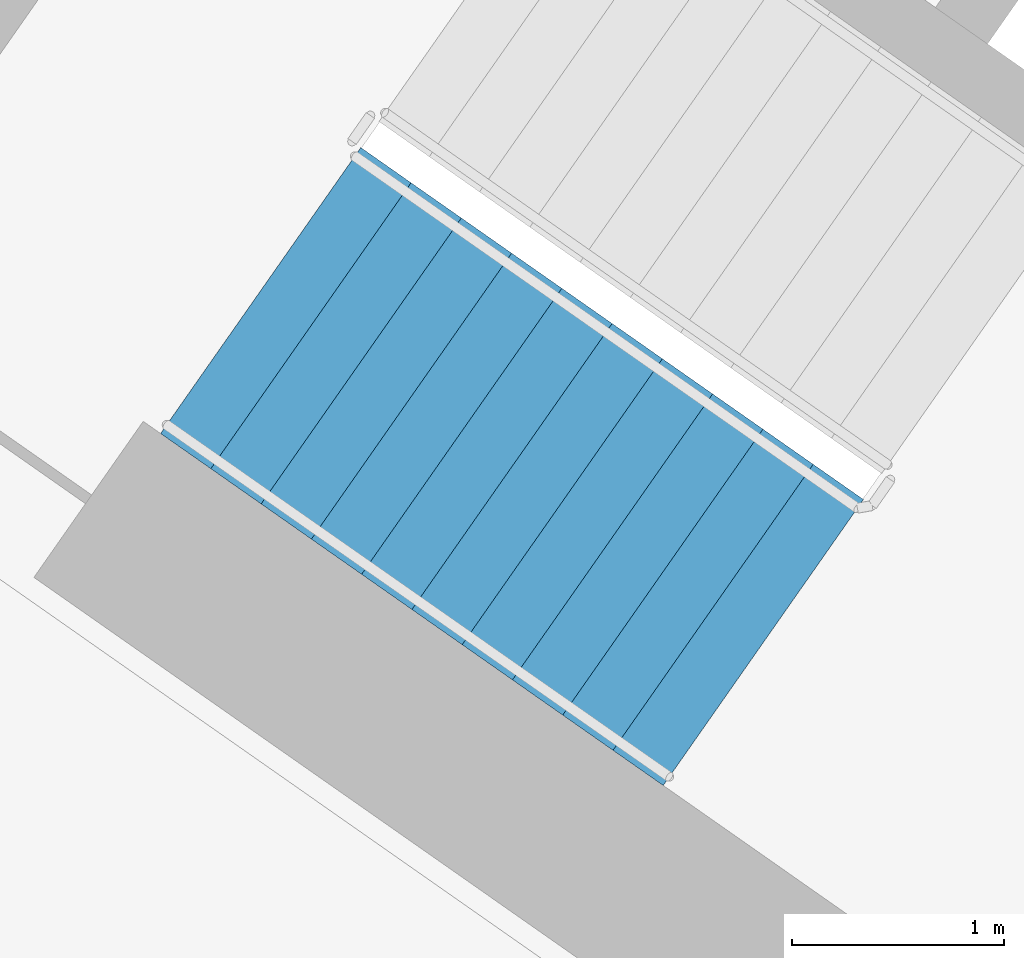
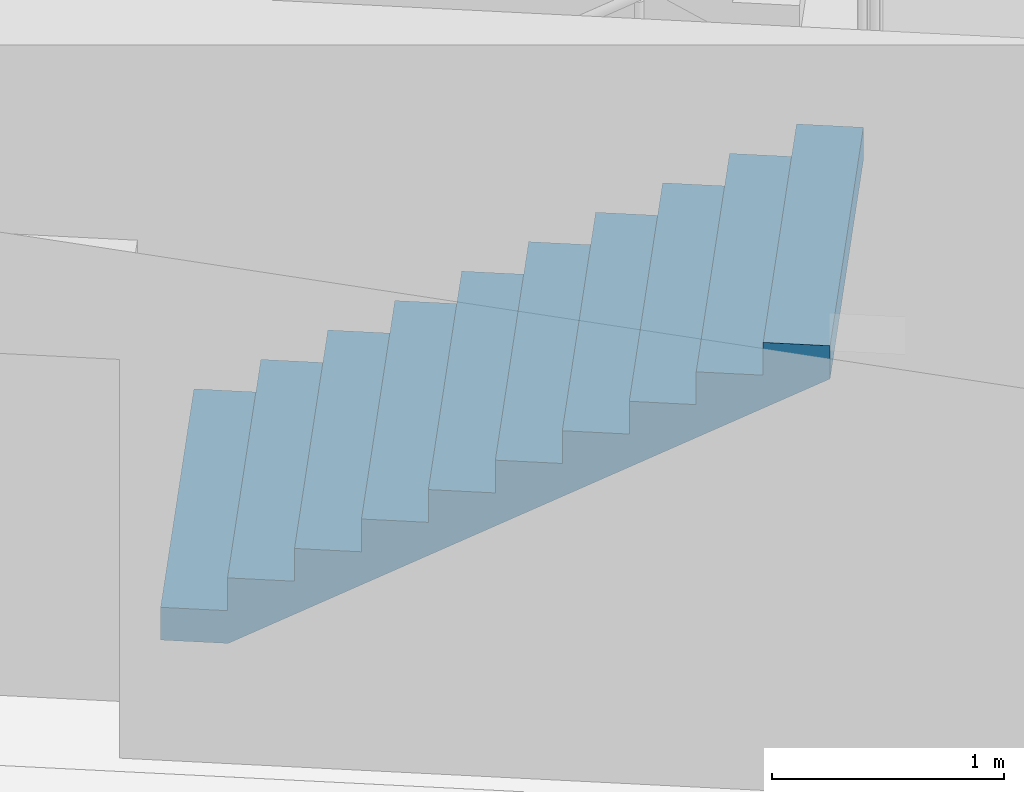
# One storey, part 9 of 28: 1 stair flight, 1 element without a shape of its own.
"""IFC4 building model written with IfcOpenShell, lengths in metres."""

from ifc_helpers import new_model, si_unit, direction, frame, origin, place, context, subcontext, project, spatial, faceted_brep, material, type_object, element, aggregate, save


model = new_model("IFC4")

# Units and contexts
model_context = context("Model", 3, precision=1e-05, world=origin(), true_north=direction((0.0, 1.0)))
body_context = subcontext(model_context, "Body", "Model", "MODEL_VIEW")
ifc_project = project(units=[si_unit("LENGTHUNIT", "METRE"), si_unit("AREAUNIT", "SQUARE_METRE"), si_unit("VOLUMEUNIT", "CUBIC_METRE"), si_unit("PLANEANGLEUNIT", "RADIAN"), si_unit("MASSUNIT", "GRAM", prefix="KILO")], contexts=[model_context])

# Site, building, storey
site_placement = place(None, origin())
site = spatial("IfcSite", under=ifc_project, at=site_placement, CompositionType="ELEMENT")
building_placement = place(site_placement, origin())
building = spatial("IfcBuilding", under=site, at=building_placement, Name="Qamariyya Broadcast Tower", CompositionType="ELEMENT")
storey_placement = place(building_placement, frame((0.0, 0.0, 140.5)))
storey = spatial("IfcBuildingStorey", under=building, at=storey_placement, Name="L32", CompositionType="ELEMENT", Elevation=140.5)

# Stair, stair flight
ifc_material = material(Name="Concrete C50/60", Category="concrete")
stair_type = type_object("IfcStairType", Name="Exit stair 22 risers of 173 mm", PredefinedType="HALF_TURN_STAIR", material=ifc_material)
stair_placement = place(storey_placement, origin())
stair = element("IfcStair", 1, at=stair_placement, inside=storey, type_object=stair_type, Name="L32 Stair W1", PredefinedType="HALF_TURN_STAIR")
stair_flight_type = type_object("IfcStairFlightType", Name="Exit stair flight 11 risers of 173 mm", PredefinedType="STRAIGHT", material=ifc_material)
stair_flight_placement = place(storey_placement, frame((-47.06884765625, -56.982666015625, 0.0), z_axis=(0.0, 0.0, 1.0), x_axis=(0.819152044289, -0.573576436351, 0.0)))
stair_flight = element("IfcStairFlight", 2, at=stair_flight_placement, type_object=stair_flight_type, Name="ST-W1 flight 1", NumberOfRisers=11, NumberOfTreads=10, PredefinedType="STRAIGHT", RiserHeight=0.172727273, TreadLength=0.29, context=body_context, shape_type="Brep", body=[
    faceted_brep([(0.0, 0.824951171875, 0.0), (0.0, 0.824951171875, 0.172607421875), (0.2900390625, 0.824951171875, 0.172607421875), (0.2900390625, 0.824951171875, 0.345458984375), (0.580078125, 0.824951171875, 0.345458984375), (0.580078125, 0.824951171875, 0.51806640625), (0.8701171875, 0.824951171875, 0.51806640625), (0.8701171875, 0.824951171875, 0.69091796875), (1.159912109375, 0.824951171875, 0.69091796875), (1.159912109375, 0.824951171875, 0.863525390625), (1.449951171875, 0.824951171875, 0.863525390625), (1.449951171875, 0.824951171875, 1.036376953125), (1.739990234375, 0.824951171875, 1.036376953125), (1.739990234375, 0.824951171875, 1.208984375), (2.030029296875, 0.824951171875, 1.208984375), (2.030029296875, 0.824951171875, 1.3818359375), (2.320068359375, 0.824951171875, 1.3818359375), (2.320068359375, 0.824951171875, 1.554443359375), (2.610107421875, 0.824951171875, 1.554443359375), (2.610107421875, 0.824951171875, 1.727294921875), (2.89990234375, 0.824951171875, 1.727294921875), (2.89990234375, 0.824951171875, 1.552734375), (0.29296875, 0.824951171875, 0.0), (0.29296875, -0.824951171875, 0.0), (2.89990234375, -0.824951171875, 1.552734375), (2.89990234375, -0.824951171875, 1.727294921875), (2.610107421875, -0.824951171875, 1.727294921875), (2.610107421875, -0.824951171875, 1.554443359375), (2.320068359375, -0.824951171875, 1.554443359375), (2.320068359375, -0.824951171875, 1.3818359375), (2.030029296875, -0.824951171875, 1.3818359375), (2.030029296875, -0.824951171875, 1.208984375), (1.739990234375, -0.824951171875, 1.208984375), (1.739990234375, -0.824951171875, 1.036376953125), (1.449951171875, -0.824951171875, 1.036376953125), (1.449951171875, -0.824951171875, 0.863525390625), (1.159912109375, -0.824951171875, 0.863525390625), (1.159912109375, -0.824951171875, 0.69091796875), (0.8701171875, -0.824951171875, 0.69091796875), (0.8701171875, -0.824951171875, 0.51806640625), (0.580078125, -0.824951171875, 0.51806640625), (0.580078125, -0.824951171875, 0.345458984375), (0.2900390625, -0.824951171875, 0.345458984375), (0.2900390625, -0.824951171875, 0.172607421875), (0.0, -0.824951171875, 0.172607421875), (0.0, -0.824951171875, 0.0), (0.0, 0.10009765625, 0.0), (0.0, 0.086669921875, 0.0), (0.0, 0.0732421875, 0.0), (0.0, 0.06005859375, 0.0), (0.0, 0.046630859375, 0.0), (0.0, 0.033447265625, 0.0), (0.0, 0.02001953125, 0.0), (0.0, 0.006591796875, 0.0), (0.0, -0.006591796875, 0.0), (0.0, -0.02001953125, 0.0), (0.0, -0.033447265625, 0.0), (0.0, -0.046630859375, 0.0), (0.0, -0.06005859375, 0.0), (0.0, -0.0732421875, 0.0), (0.0, -0.086669921875, 0.0), (0.0, -0.10009765625, 0.0), (0.0, -0.10009765625, 0.172607421875), (0.0, -0.086669921875, 0.172607421875), (0.0, -0.0732421875, 0.172607421875), (0.0, -0.06005859375, 0.172607421875), (0.0, -0.046630859375, 0.172607421875), (0.0, -0.033447265625, 0.172607421875), (0.0, -0.02001953125, 0.172607421875), (0.0, -0.006591796875, 0.172607421875), (0.0, 0.006591796875, 0.172607421875), (0.0, 0.02001953125, 0.172607421875), (0.0, 0.033447265625, 0.172607421875), (0.0, 0.046630859375, 0.172607421875), (0.0, 0.06005859375, 0.172607421875), (0.0, 0.0732421875, 0.172607421875), (0.0, 0.086669921875, 0.172607421875), (0.0, 0.10009765625, 0.172607421875), (0.2900390625, -0.10009765625, 0.172607421875), (0.2900390625, -0.086669921875, 0.172607421875), (0.2900390625, -0.0732421875, 0.172607421875), (0.2900390625, -0.06005859375, 0.172607421875), (0.2900390625, -0.046630859375, 0.172607421875), (0.2900390625, -0.033447265625, 0.172607421875), (0.2900390625, -0.02001953125, 0.172607421875), (0.2900390625, -0.006591796875, 0.172607421875), (0.2900390625, 0.006591796875, 0.172607421875), (0.2900390625, 0.02001953125, 0.172607421875), (0.2900390625, 0.033447265625, 0.172607421875), (0.2900390625, 0.046630859375, 0.172607421875), (0.2900390625, 0.06005859375, 0.172607421875), (0.2900390625, 0.0732421875, 0.172607421875), (0.2900390625, 0.086669921875, 0.172607421875), (0.2900390625, 0.10009765625, 0.172607421875), (0.2900390625, -0.10009765625, 0.345458984375), (0.2900390625, -0.086669921875, 0.345458984375), (0.2900390625, -0.0732421875, 0.345458984375), (0.2900390625, -0.06005859375, 0.345458984375), (0.2900390625, -0.046630859375, 0.345458984375), (0.2900390625, -0.033447265625, 0.345458984375), (0.2900390625, -0.02001953125, 0.345458984375), (0.2900390625, -0.006591796875, 0.345458984375), (0.2900390625, 0.006591796875, 0.345458984375), (0.2900390625, 0.02001953125, 0.345458984375), (0.2900390625, 0.033447265625, 0.345458984375), (0.2900390625, 0.046630859375, 0.345458984375), (0.2900390625, 0.06005859375, 0.345458984375), (0.2900390625, 0.0732421875, 0.345458984375), (0.2900390625, 0.086669921875, 0.345458984375), (0.2900390625, 0.10009765625, 0.345458984375), (0.580078125, -0.10009765625, 0.345458984375), (0.580078125, -0.086669921875, 0.345458984375), (0.580078125, -0.0732421875, 0.345458984375), (0.580078125, -0.06005859375, 0.345458984375), (0.580078125, -0.046630859375, 0.345458984375), (0.580078125, -0.033447265625, 0.345458984375), (0.580078125, -0.02001953125, 0.345458984375), (0.580078125, -0.006591796875, 0.345458984375), (0.580078125, 0.006591796875, 0.345458984375), (0.580078125, 0.02001953125, 0.345458984375), (0.580078125, 0.033447265625, 0.345458984375), (0.580078125, 0.046630859375, 0.345458984375), (0.580078125, 0.06005859375, 0.345458984375), (0.580078125, 0.0732421875, 0.345458984375), (0.580078125, 0.086669921875, 0.345458984375), (0.580078125, 0.10009765625, 0.345458984375), (0.580078125, -0.10009765625, 0.51806640625), (0.580078125, -0.086669921875, 0.51806640625), (0.580078125, -0.0732421875, 0.51806640625), (0.580078125, -0.06005859375, 0.51806640625), (0.580078125, -0.046630859375, 0.51806640625), (0.580078125, -0.033447265625, 0.51806640625), (0.580078125, -0.02001953125, 0.51806640625), (0.580078125, -0.006591796875, 0.51806640625), (0.580078125, 0.006591796875, 0.51806640625), (0.580078125, 0.02001953125, 0.51806640625), (0.580078125, 0.033447265625, 0.51806640625), (0.580078125, 0.046630859375, 0.51806640625), (0.580078125, 0.06005859375, 0.51806640625), (0.580078125, 0.0732421875, 0.51806640625), (0.580078125, 0.086669921875, 0.51806640625), (0.580078125, 0.10009765625, 0.51806640625), (0.8701171875, -0.10009765625, 0.51806640625), (0.8701171875, -0.086669921875, 0.51806640625), (0.8701171875, -0.0732421875, 0.51806640625), (0.8701171875, -0.06005859375, 0.51806640625), (0.8701171875, -0.046630859375, 0.51806640625), (0.8701171875, -0.033447265625, 0.51806640625), (0.8701171875, -0.02001953125, 0.51806640625), (0.8701171875, -0.006591796875, 0.51806640625), (0.8701171875, 0.006591796875, 0.51806640625), (0.8701171875, 0.02001953125, 0.51806640625), (0.8701171875, 0.033447265625, 0.51806640625), (0.8701171875, 0.046630859375, 0.51806640625), (0.8701171875, 0.06005859375, 0.51806640625), (0.8701171875, 0.0732421875, 0.51806640625), (0.8701171875, 0.086669921875, 0.51806640625), (0.8701171875, 0.10009765625, 0.51806640625), (0.8701171875, -0.10009765625, 0.69091796875), (0.8701171875, -0.086669921875, 0.69091796875), (0.8701171875, -0.0732421875, 0.69091796875), (0.8701171875, -0.06005859375, 0.69091796875), (0.8701171875, -0.046630859375, 0.69091796875), (0.8701171875, -0.033447265625, 0.69091796875), (0.8701171875, -0.02001953125, 0.69091796875), (0.8701171875, -0.006591796875, 0.69091796875), (0.8701171875, 0.006591796875, 0.69091796875), (0.8701171875, 0.02001953125, 0.69091796875), (0.8701171875, 0.033447265625, 0.69091796875), (0.8701171875, 0.046630859375, 0.69091796875), (0.8701171875, 0.06005859375, 0.69091796875), (0.8701171875, 0.0732421875, 0.69091796875), (0.8701171875, 0.086669921875, 0.69091796875), (0.8701171875, 0.10009765625, 0.69091796875), (1.159912109375, -0.10009765625, 0.69091796875), (1.159912109375, -0.086669921875, 0.69091796875), (1.159912109375, -0.0732421875, 0.69091796875), (1.159912109375, -0.06005859375, 0.69091796875), (1.159912109375, -0.046630859375, 0.69091796875), (1.159912109375, -0.033447265625, 0.69091796875), (1.159912109375, -0.02001953125, 0.69091796875), (1.159912109375, -0.006591796875, 0.69091796875), (1.159912109375, 0.006591796875, 0.69091796875), (1.159912109375, 0.02001953125, 0.69091796875), (1.159912109375, 0.033447265625, 0.69091796875), (1.159912109375, 0.046630859375, 0.69091796875), (1.159912109375, 0.06005859375, 0.69091796875), (1.159912109375, 0.0732421875, 0.69091796875), (1.159912109375, 0.086669921875, 0.69091796875), (1.159912109375, 0.10009765625, 0.69091796875), (1.159912109375, -0.10009765625, 0.863525390625), (1.159912109375, -0.086669921875, 0.863525390625), (1.159912109375, -0.0732421875, 0.863525390625), (1.159912109375, -0.06005859375, 0.863525390625), (1.159912109375, -0.046630859375, 0.863525390625), (1.159912109375, -0.033447265625, 0.863525390625), (1.159912109375, -0.02001953125, 0.863525390625), (1.159912109375, -0.006591796875, 0.863525390625), (1.159912109375, 0.006591796875, 0.863525390625), (1.159912109375, 0.02001953125, 0.863525390625), (1.159912109375, 0.033447265625, 0.863525390625), (1.159912109375, 0.046630859375, 0.863525390625), (1.159912109375, 0.06005859375, 0.863525390625), (1.159912109375, 0.0732421875, 0.863525390625), (1.159912109375, 0.086669921875, 0.863525390625), (1.159912109375, 0.10009765625, 0.863525390625), (1.449951171875, -0.10009765625, 0.863525390625), (1.449951171875, -0.086669921875, 0.863525390625), (1.449951171875, -0.0732421875, 0.863525390625), (1.449951171875, -0.06005859375, 0.863525390625), (1.449951171875, -0.046630859375, 0.863525390625), (1.449951171875, -0.033447265625, 0.863525390625), (1.449951171875, -0.02001953125, 0.863525390625), (1.449951171875, -0.006591796875, 0.863525390625), (1.449951171875, 0.006591796875, 0.863525390625), (1.449951171875, 0.02001953125, 0.863525390625), (1.449951171875, 0.033447265625, 0.863525390625), (1.449951171875, 0.046630859375, 0.863525390625), (1.449951171875, 0.06005859375, 0.863525390625), (1.449951171875, 0.0732421875, 0.863525390625), (1.449951171875, 0.086669921875, 0.863525390625), (1.449951171875, 0.10009765625, 0.863525390625), (1.449951171875, -0.10009765625, 1.036376953125), (1.449951171875, -0.086669921875, 1.036376953125), (1.449951171875, -0.0732421875, 1.036376953125), (1.449951171875, -0.06005859375, 1.036376953125), (1.449951171875, -0.046630859375, 1.036376953125), (1.449951171875, -0.033447265625, 1.036376953125), (1.449951171875, -0.02001953125, 1.036376953125), (1.449951171875, -0.006591796875, 1.036376953125), (1.449951171875, 0.006591796875, 1.036376953125), (1.449951171875, 0.02001953125, 1.036376953125), (1.449951171875, 0.033447265625, 1.036376953125), (1.449951171875, 0.046630859375, 1.036376953125), (1.449951171875, 0.06005859375, 1.036376953125), (1.449951171875, 0.0732421875, 1.036376953125), (1.449951171875, 0.086669921875, 1.036376953125), (1.449951171875, 0.10009765625, 1.036376953125), (1.739990234375, -0.10009765625, 1.036376953125), (1.739990234375, -0.086669921875, 1.036376953125), (1.739990234375, -0.0732421875, 1.036376953125), (1.739990234375, -0.06005859375, 1.036376953125), (1.739990234375, -0.046630859375, 1.036376953125), (1.739990234375, -0.033447265625, 1.036376953125), (1.739990234375, -0.02001953125, 1.036376953125), (1.739990234375, -0.006591796875, 1.036376953125), (1.739990234375, 0.006591796875, 1.036376953125), (1.739990234375, 0.02001953125, 1.036376953125), (1.739990234375, 0.033447265625, 1.036376953125), (1.739990234375, 0.046630859375, 1.036376953125), (1.739990234375, 0.06005859375, 1.036376953125), (1.739990234375, 0.0732421875, 1.036376953125), (1.739990234375, 0.086669921875, 1.036376953125), (1.739990234375, 0.10009765625, 1.036376953125), (1.739990234375, -0.10009765625, 1.208984375), (1.739990234375, -0.086669921875, 1.208984375), (1.739990234375, -0.0732421875, 1.208984375), (1.739990234375, -0.06005859375, 1.208984375), (1.739990234375, -0.046630859375, 1.208984375), (1.739990234375, -0.033447265625, 1.208984375), (1.739990234375, -0.02001953125, 1.208984375), (1.739990234375, -0.006591796875, 1.208984375), (1.739990234375, 0.006591796875, 1.208984375), (1.739990234375, 0.02001953125, 1.208984375), (1.739990234375, 0.033447265625, 1.208984375), (1.739990234375, 0.046630859375, 1.208984375), (1.739990234375, 0.06005859375, 1.208984375), (1.739990234375, 0.0732421875, 1.208984375), (1.739990234375, 0.086669921875, 1.208984375), (1.739990234375, 0.10009765625, 1.208984375), (2.030029296875, -0.10009765625, 1.208984375), (2.030029296875, -0.086669921875, 1.208984375), (2.030029296875, -0.0732421875, 1.208984375), (2.030029296875, -0.06005859375, 1.208984375), (2.030029296875, -0.046630859375, 1.208984375), (2.030029296875, -0.033447265625, 1.208984375), (2.030029296875, -0.02001953125, 1.208984375), (2.030029296875, -0.006591796875, 1.208984375), (2.030029296875, 0.006591796875, 1.208984375), (2.030029296875, 0.02001953125, 1.208984375), (2.030029296875, 0.033447265625, 1.208984375), (2.030029296875, 0.046630859375, 1.208984375), (2.030029296875, 0.06005859375, 1.208984375), (2.030029296875, 0.0732421875, 1.208984375), (2.030029296875, 0.086669921875, 1.208984375), (2.030029296875, 0.10009765625, 1.208984375), (2.030029296875, -0.10009765625, 1.3818359375), (2.030029296875, -0.086669921875, 1.3818359375), (2.030029296875, -0.0732421875, 1.3818359375), (2.030029296875, -0.06005859375, 1.3818359375), (2.030029296875, -0.046630859375, 1.3818359375), (2.030029296875, -0.033447265625, 1.3818359375), (2.030029296875, -0.02001953125, 1.3818359375), (2.030029296875, -0.006591796875, 1.3818359375), (2.030029296875, 0.006591796875, 1.3818359375), (2.030029296875, 0.02001953125, 1.3818359375), (2.030029296875, 0.033447265625, 1.3818359375), (2.030029296875, 0.046630859375, 1.3818359375), (2.030029296875, 0.06005859375, 1.3818359375), (2.030029296875, 0.0732421875, 1.3818359375), (2.030029296875, 0.086669921875, 1.3818359375), (2.030029296875, 0.10009765625, 1.3818359375), (2.320068359375, -0.10009765625, 1.3818359375), (2.320068359375, -0.086669921875, 1.3818359375), (2.320068359375, -0.0732421875, 1.3818359375), (2.320068359375, -0.06005859375, 1.3818359375), (2.320068359375, -0.046630859375, 1.3818359375), (2.320068359375, -0.033447265625, 1.3818359375), (2.320068359375, -0.02001953125, 1.3818359375), (2.320068359375, -0.006591796875, 1.3818359375), (2.320068359375, 0.006591796875, 1.3818359375), (2.320068359375, 0.02001953125, 1.3818359375), (2.320068359375, 0.033447265625, 1.3818359375), (2.320068359375, 0.046630859375, 1.3818359375), (2.320068359375, 0.06005859375, 1.3818359375), (2.320068359375, 0.0732421875, 1.3818359375), (2.320068359375, 0.086669921875, 1.3818359375), (2.320068359375, 0.10009765625, 1.3818359375), (2.320068359375, -0.10009765625, 1.554443359375), (2.320068359375, -0.086669921875, 1.554443359375), (2.320068359375, -0.0732421875, 1.554443359375), (2.320068359375, -0.06005859375, 1.554443359375), (2.320068359375, -0.046630859375, 1.554443359375), (2.320068359375, -0.033447265625, 1.554443359375), (2.320068359375, -0.02001953125, 1.554443359375), (2.320068359375, -0.006591796875, 1.554443359375), (2.320068359375, 0.006591796875, 1.554443359375), (2.320068359375, 0.02001953125, 1.554443359375), (2.320068359375, 0.033447265625, 1.554443359375), (2.320068359375, 0.046630859375, 1.554443359375), (2.320068359375, 0.06005859375, 1.554443359375), (2.320068359375, 0.0732421875, 1.554443359375), (2.320068359375, 0.086669921875, 1.554443359375), (2.320068359375, 0.10009765625, 1.554443359375), (2.610107421875, -0.10009765625, 1.554443359375), (2.610107421875, -0.086669921875, 1.554443359375), (2.610107421875, -0.0732421875, 1.554443359375), (2.610107421875, -0.06005859375, 1.554443359375), (2.610107421875, -0.046630859375, 1.554443359375), (2.610107421875, -0.033447265625, 1.554443359375), (2.610107421875, -0.02001953125, 1.554443359375), (2.610107421875, -0.006591796875, 1.554443359375), (2.610107421875, 0.006591796875, 1.554443359375), (2.610107421875, 0.02001953125, 1.554443359375), (2.610107421875, 0.033447265625, 1.554443359375), (2.610107421875, 0.046630859375, 1.554443359375), (2.610107421875, 0.06005859375, 1.554443359375), (2.610107421875, 0.0732421875, 1.554443359375), (2.610107421875, 0.086669921875, 1.554443359375), (2.610107421875, 0.10009765625, 1.554443359375), (2.610107421875, -0.10009765625, 1.727294921875), (2.610107421875, -0.086669921875, 1.727294921875), (2.610107421875, -0.0732421875, 1.727294921875), (2.610107421875, -0.06005859375, 1.727294921875), (2.610107421875, -0.046630859375, 1.727294921875), (2.610107421875, -0.033447265625, 1.727294921875), (2.610107421875, -0.02001953125, 1.727294921875), (2.610107421875, -0.006591796875, 1.727294921875), (2.610107421875, 0.006591796875, 1.727294921875), (2.610107421875, 0.02001953125, 1.727294921875), (2.610107421875, 0.033447265625, 1.727294921875), (2.610107421875, 0.046630859375, 1.727294921875), (2.610107421875, 0.06005859375, 1.727294921875), (2.610107421875, 0.0732421875, 1.727294921875), (2.610107421875, 0.086669921875, 1.727294921875), (2.610107421875, 0.10009765625, 1.727294921875), (2.89990234375, -0.10009765625, 1.727294921875), (2.89990234375, -0.086669921875, 1.727294921875), (2.89990234375, -0.0732421875, 1.727294921875), (2.89990234375, -0.06005859375, 1.727294921875), (2.89990234375, -0.046630859375, 1.727294921875), (2.89990234375, -0.033447265625, 1.727294921875), (2.89990234375, -0.02001953125, 1.727294921875), (2.89990234375, -0.006591796875, 1.727294921875), (2.89990234375, 0.006591796875, 1.727294921875), (2.89990234375, 0.02001953125, 1.727294921875), (2.89990234375, 0.033447265625, 1.727294921875), (2.89990234375, 0.046630859375, 1.727294921875), (2.89990234375, 0.06005859375, 1.727294921875), (2.89990234375, 0.0732421875, 1.727294921875), (2.89990234375, 0.086669921875, 1.727294921875), (2.89990234375, 0.10009765625, 1.727294921875), (2.89990234375, -0.10009765625, 1.552734375), (2.89990234375, -0.086669921875, 1.552734375), (2.89990234375, -0.0732421875, 1.552734375), (2.89990234375, -0.06005859375, 1.552734375), (2.89990234375, -0.046630859375, 1.552734375), (2.89990234375, -0.033447265625, 1.552734375), (2.89990234375, -0.02001953125, 1.552734375), (2.89990234375, -0.006591796875, 1.552734375), (2.89990234375, 0.006591796875, 1.552734375), (2.89990234375, 0.02001953125, 1.552734375), (2.89990234375, 0.033447265625, 1.552734375), (2.89990234375, 0.046630859375, 1.552734375), (2.89990234375, 0.06005859375, 1.552734375), (2.89990234375, 0.0732421875, 1.552734375), (2.89990234375, 0.086669921875, 1.552734375), (2.89990234375, 0.10009765625, 1.552734375), (0.29296875, -0.10009765625, 0.0), (0.29296875, -0.086669921875, 0.0), (0.29296875, -0.0732421875, 0.0), (0.29296875, -0.06005859375, 0.0), (0.29296875, -0.046630859375, 0.0), (0.29296875, -0.033447265625, 0.0), (0.29296875, -0.02001953125, 0.0), (0.29296875, -0.006591796875, 0.0), (0.29296875, 0.006591796875, 0.0), (0.29296875, 0.02001953125, 0.0), (0.29296875, 0.033447265625, 0.0), (0.29296875, 0.046630859375, 0.0), (0.29296875, 0.06005859375, 0.0), (0.29296875, 0.0732421875, 0.0), (0.29296875, 0.086669921875, 0.0), (0.29296875, 0.10009765625, 0.0)], [[[0, 1, 2, 3, 4, 5, 6, 7, 8, 9, 10, 11, 12, 13, 14, 15, 16, 17, 18, 19, 20, 21, 22]], [[23, 24, 25, 26, 27, 28, 29, 30, 31, 32, 33, 34, 35, 36, 37, 38, 39, 40, 41, 42, 43, 44, 45]], [[0, 46, 47, 48, 49, 50, 51, 52, 53, 54, 55, 56, 57, 58, 59, 60, 61, 45, 44, 62, 63, 64, 65, 66, 67, 68, 69, 70, 71, 72, 73, 74, 75, 76, 77, 1]], [[1, 77, 76, 75, 74, 73, 72, 71, 70, 69, 68, 67, 66, 65, 64, 63, 62, 44, 43, 78, 79, 80, 81, 82, 83, 84, 85, 86, 87, 88, 89, 90, 91, 92, 93, 2]], [[2, 93, 92, 91, 90, 89, 88, 87, 86, 85, 84, 83, 82, 81, 80, 79, 78, 43, 42, 94, 95, 96, 97, 98, 99, 100, 101, 102, 103, 104, 105, 106, 107, 108, 109, 3]], [[3, 109, 108, 107, 106, 105, 104, 103, 102, 101, 100, 99, 98, 97, 96, 95, 94, 42, 41, 110, 111, 112, 113, 114, 115, 116, 117, 118, 119, 120, 121, 122, 123, 124, 125, 4]], [[4, 125, 124, 123, 122, 121, 120, 119, 118, 117, 116, 115, 114, 113, 112, 111, 110, 41, 40, 126, 127, 128, 129, 130, 131, 132, 133, 134, 135, 136, 137, 138, 139, 140, 141, 5]], [[5, 141, 140, 139, 138, 137, 136, 135, 134, 133, 132, 131, 130, 129, 128, 127, 126, 40, 39, 142, 143, 144, 145, 146, 147, 148, 149, 150, 151, 152, 153, 154, 155, 156, 157, 6]], [[6, 157, 156, 155, 154, 153, 152, 151, 150, 149, 148, 147, 146, 145, 144, 143, 142, 39, 38, 158, 159, 160, 161, 162, 163, 164, 165, 166, 167, 168, 169, 170, 171, 172, 173, 7]], [[7, 173, 172, 171, 170, 169, 168, 167, 166, 165, 164, 163, 162, 161, 160, 159, 158, 38, 37, 174, 175, 176, 177, 178, 179, 180, 181, 182, 183, 184, 185, 186, 187, 188, 189, 8]], [[8, 189, 188, 187, 186, 185, 184, 183, 182, 181, 180, 179, 178, 177, 176, 175, 174, 37, 36, 190, 191, 192, 193, 194, 195, 196, 197, 198, 199, 200, 201, 202, 203, 204, 205, 9]], [[9, 205, 204, 203, 202, 201, 200, 199, 198, 197, 196, 195, 194, 193, 192, 191, 190, 36, 35, 206, 207, 208, 209, 210, 211, 212, 213, 214, 215, 216, 217, 218, 219, 220, 221, 10]], [[10, 221, 220, 219, 218, 217, 216, 215, 214, 213, 212, 211, 210, 209, 208, 207, 206, 35, 34, 222, 223, 224, 225, 226, 227, 228, 229, 230, 231, 232, 233, 234, 235, 236, 237, 11]], [[11, 237, 236, 235, 234, 233, 232, 231, 230, 229, 228, 227, 226, 225, 224, 223, 222, 34, 33, 238, 239, 240, 241, 242, 243, 244, 245, 246, 247, 248, 249, 250, 251, 252, 253, 12]], [[12, 253, 252, 251, 250, 249, 248, 247, 246, 245, 244, 243, 242, 241, 240, 239, 238, 33, 32, 254, 255, 256, 257, 258, 259, 260, 261, 262, 263, 264, 265, 266, 267, 268, 269, 13]], [[13, 269, 268, 267, 266, 265, 264, 263, 262, 261, 260, 259, 258, 257, 256, 255, 254, 32, 31, 270, 271, 272, 273, 274, 275, 276, 277, 278, 279, 280, 281, 282, 283, 284, 285, 14]], [[14, 285, 284, 283, 282, 281, 280, 279, 278, 277, 276, 275, 274, 273, 272, 271, 270, 31, 30, 286, 287, 288, 289, 290, 291, 292, 293, 294, 295, 296, 297, 298, 299, 300, 301, 15]], [[15, 301, 300, 299, 298, 297, 296, 295, 294, 293, 292, 291, 290, 289, 288, 287, 286, 30, 29, 302, 303, 304, 305, 306, 307, 308, 309, 310, 311, 312, 313, 314, 315, 316, 317, 16]], [[16, 317, 316, 315, 314, 313, 312, 311, 310, 309, 308, 307, 306, 305, 304, 303, 302, 29, 28, 318, 319, 320, 321, 322, 323, 324, 325, 326, 327, 328, 329, 330, 331, 332, 333, 17]], [[17, 333, 332, 331, 330, 329, 328, 327, 326, 325, 324, 323, 322, 321, 320, 319, 318, 28, 27, 334, 335, 336, 337, 338, 339, 340, 341, 342, 343, 344, 345, 346, 347, 348, 349, 18]], [[18, 349, 348, 347, 346, 345, 344, 343, 342, 341, 340, 339, 338, 337, 336, 335, 334, 27, 26, 350, 351, 352, 353, 354, 355, 356, 357, 358, 359, 360, 361, 362, 363, 364, 365, 19]], [[19, 365, 364, 363, 362, 361, 360, 359, 358, 357, 356, 355, 354, 353, 352, 351, 350, 26, 25, 366, 367, 368, 369, 370, 371, 372, 373, 374, 375, 376, 377, 378, 379, 380, 381, 20]], [[20, 381, 380, 379, 378, 377, 376, 375, 374, 373, 372, 371, 370, 369, 368, 367, 366, 25, 24, 382, 383, 384, 385, 386, 387, 388, 389, 390, 391, 392, 393, 394, 395, 396, 397, 21]], [[21, 397, 396, 395, 394, 393, 392, 391, 390, 389, 388, 387, 386, 385, 384, 383, 382, 24, 23, 398, 399, 400, 401, 402, 403, 404, 405, 406, 407, 408, 409, 410, 411, 412, 413, 22]], [[22, 413, 412, 411, 410, 409, 408, 407, 406, 405, 404, 403, 402, 401, 400, 399, 398, 23, 45, 61, 60, 59, 58, 57, 56, 55, 54, 53, 52, 51, 50, 49, 48, 47, 46, 0]]]),
])
aggregate(stair, [stair_flight])

save(model, "model.ifc")
